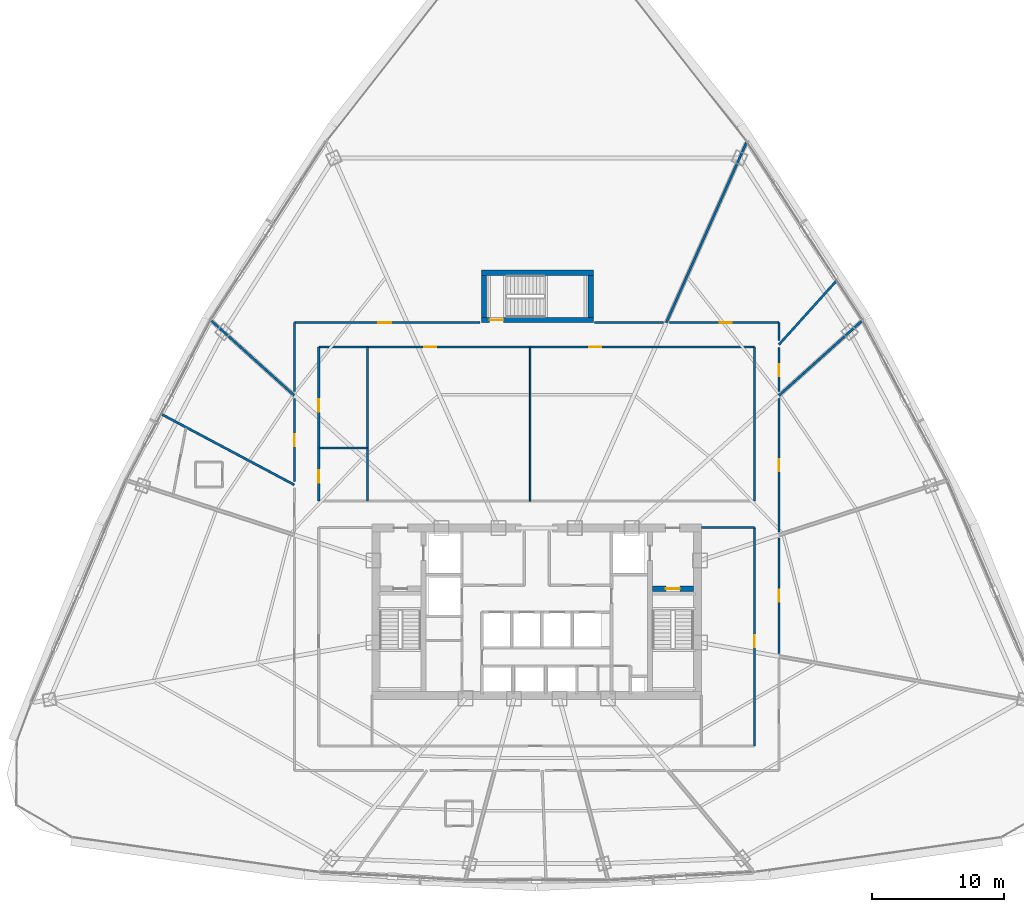
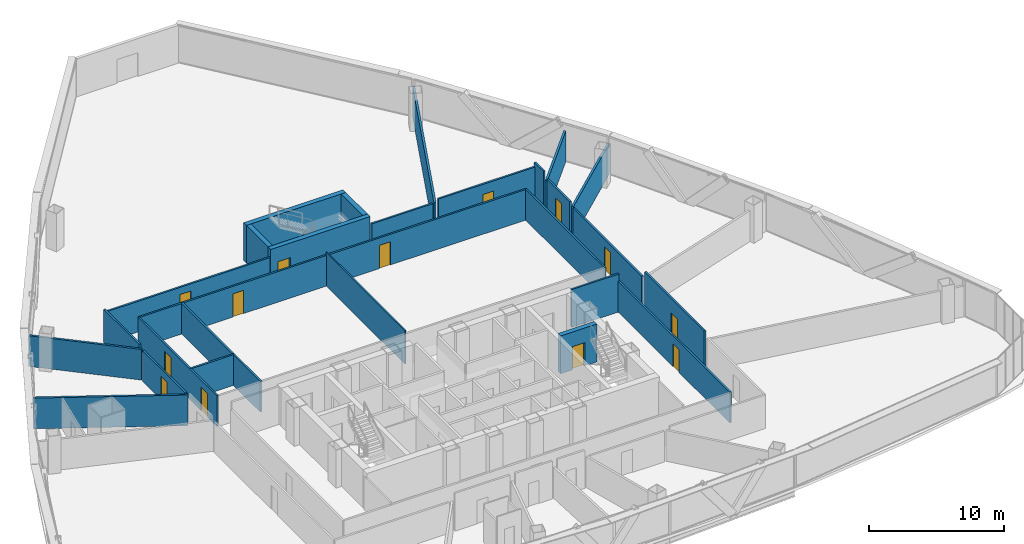
# One storey, part 37 of 42: 27 walls, 13 doors, 13 openings.
"""IFC4 building model written with IfcOpenShell, lengths in metres."""

from ifc_helpers import new_model, si_unit, direction, frame, frame_2d, origin, origin_with_axes, place, context, subcontext, project, spatial, rectangle, extrude, source, transform, mapped, material, layer, layer_set, type_object, element, fill, save


model = new_model("IFC4")

# Units and contexts
model_context = context("Model", 3, precision=1e-05, world=origin(), true_north=direction((0.0, 1.0)))
body_context = subcontext(model_context, "Body", "Model", "MODEL_VIEW")
ifc_project = project(units=[si_unit("LENGTHUNIT", "METRE"), si_unit("AREAUNIT", "SQUARE_METRE"), si_unit("VOLUMEUNIT", "CUBIC_METRE"), si_unit("PLANEANGLEUNIT", "RADIAN"), si_unit("MASSUNIT", "GRAM", prefix="KILO"), si_unit("THERMODYNAMICTEMPERATUREUNIT", "KELVIN"), si_unit("POWERUNIT", "WATT")], contexts=[model_context])

# Site, building, storey
site_placement = place(None, origin())
site = spatial("IfcSite", under=ifc_project, at=site_placement, CompositionType="ELEMENT")
building_placement = place(site_placement, origin())
building = spatial("IfcBuilding", under=site, at=building_placement, Name="Yunzhuo Pagoda Commons", CompositionType="ELEMENT")
storey_placement = place(building_placement, frame((0.0, 0.0, 151.909912109375)))
storey = spatial("IfcBuildingStorey", under=building, at=storey_placement, Name="L38", CompositionType="ELEMENT", Elevation=151.909912109375)

# Wall, openings, doors
ifc_material_1 = material(Name="Gypsum plasterboard on acoustic stud")
ifc_layer_1 = layer(ifc_material_1, 0.155029296875)
ifc_layer_set_1 = layer_set([ifc_layer_1], Name="Gypsum plasterboard on acoustic stud")
wall_type_1 = type_object("IfcWallType", Name="W-COR2 Mid-Zone Rated Corridor Wall 155", PredefinedType="PARTITIONING", material=ifc_layer_set_1)
wall_1_placement = place(storey_placement, frame((31.449951171875, 53.949951171875, 0.0), z_axis=(0.0, 0.0, 1.0), x_axis=(1.0, 0.0, 0.0)))
wall_1 = element("IfcWall", 1, at=wall_1_placement, inside=storey, type_object=wall_type_1, Name="L38 interior wall IW-L38-MCNN", PredefinedType="PARTITIONING", context=body_context, shape_type="SweptSolid", body=[
    extrude(rectangle(XDim=33.10009765625, YDim=0.155029296875, at=frame_2d((16.550048828125, 0.0))), origin(), (0.0, 0.0, 1.0), 2.77001953125),
])
opening_1_placement = place(wall_1_placement, frame((8.0, 0.0, 0.0)))
opening_1 = element("IfcOpeningElement", 2, at=opening_1_placement, cuts=wall_1, Name="Opening D-04", PredefinedType="OPENING", context=body_context, shape_type="SweptSolid", body=[
    extrude(rectangle(XDim=0.919921875, YDim=2.10009765625, at=frame_2d((0.4599609375, 1.050048828125))), frame((0.0, 0.08740234375, 0.0), z_axis=(0.0, -1.0, 0.0), x_axis=(1.0, 0.0, 0.0)), (0.0, 0.0, 1.0), 0.175048828125),
])
opening_2_placement = place(wall_1_placement, frame((20.550048828125, 0.0, 0.0)))
opening_2 = element("IfcOpeningElement", 3, at=opening_2_placement, cuts=wall_1, Name="Opening D-04", PredefinedType="OPENING", context=body_context, shape_type="SweptSolid", body=[
    extrude(rectangle(XDim=0.919921875, YDim=2.10009765625, at=frame_2d((0.4599609375, 1.050048828125))), frame((0.0, 0.08740234375, 0.0), z_axis=(0.0, -1.0, 0.0), x_axis=(1.0, 0.0, 0.0)), (0.0, 0.0, 1.0), 0.175048828125),
])
ifc_material_2 = material(Name="Powder-coated aluminium and timber acoustic leaf", Category="wood")
door_type_1 = type_object("IfcDoorType", Name="D-04 Bedroom & Study Interior Door 920x2100", OperationType="NOTDEFINED", PredefinedType="DOOR", material=ifc_material_2)
shared_shape_1 = source(origin(), body_context, "Body", "SweptSolid", [
    extrude(rectangle(XDim=0.919921875, YDim=2.10009765625, at=frame_2d((0.4599609375, 1.050048828125))), frame((0.0, 0.02490234375, 0.0), z_axis=(0.0, -1.0, 0.0), x_axis=(1.0, 0.0, 0.0)), (0.0, 0.0, 1.0), 0.050048828125),
])
door_1_placement = place(opening_1_placement, origin_with_axes())
door_1 = element("IfcDoor", 4, at=door_1_placement, inside=storey, type_object=door_type_1, Name="L38 reading commons door", OperationType="SINGLE_SWING_LEFT", OverallHeight=2.10009765625, OverallWidth=0.919921875, PredefinedType="DOOR", context=body_context, shape_type="MappedRepresentation", body=[
    mapped(shared_shape_1, transform((0.0, 0.0, 0.0), scale=1.0)),
])
fill(opening_1, door_1)
door_2_placement = place(opening_2_placement, origin_with_axes())
door_2 = element("IfcDoor", 5, at=door_2_placement, inside=storey, type_object=door_type_1, Name="L38 seminar commons door", OperationType="SINGLE_SWING_RIGHT", OverallHeight=2.10009765625, OverallWidth=0.919921875, PredefinedType="DOOR", context=body_context, shape_type="MappedRepresentation", body=[
    mapped(shared_shape_1, transform((0.0, 0.0, 0.0), scale=1.0)),
])
fill(opening_2, door_2)

wall_2_placement = place(storey_placement, frame((31.449951171875, 42.25, 0.0), z_axis=(0.0, 0.0, 1.0), x_axis=(0.0, 1.0, 0.0)))
wall_2 = element("IfcWall", 6, at=wall_2_placement, inside=storey, type_object=wall_type_1, Name="L38 interior wall IW-L38-MCNW", PredefinedType="PARTITIONING", context=body_context, shape_type="SweptSolid", body=[
    extrude(rectangle(XDim=11.699951171875, YDim=0.155029296875, at=frame_2d((5.85009765625, 0.0))), origin(), (0.0, 0.0, 1.0), 2.77001953125),
])
opening_3_placement = place(wall_2_placement, frame((1.39990234375, 0.0, 0.0)))
opening_3 = element("IfcOpeningElement", 7, at=opening_3_placement, cuts=wall_2, Name="Opening D-11", PredefinedType="OPENING", context=body_context, shape_type="SweptSolid", body=[
    extrude(rectangle(XDim=0.93994140625, YDim=2.10009765625, at=frame_2d((0.469970703125, 1.050048828125))), frame((0.0, 0.08740234375, 0.0), z_axis=(0.0, -1.0, 0.0), x_axis=(1.0, 0.0, 0.0)), (0.0, 0.0, 1.0), 0.175048828125),
])
opening_4_placement = place(wall_2_placement, frame((6.800048828125, 0.0, 0.0)))
opening_4 = element("IfcOpeningElement", 8, at=opening_4_placement, cuts=wall_2, Name="Opening D-04", PredefinedType="OPENING", context=body_context, shape_type="SweptSolid", body=[
    extrude(rectangle(XDim=0.919921875, YDim=2.10009765625, at=frame_2d((0.4599609375, 1.050048828125))), frame((0.0, 0.08740234375, 0.0), z_axis=(0.0, -1.0, 0.0), x_axis=(1.0, 0.0, 0.0)), (0.0, 0.0, 1.0), 0.175048828125),
])
ifc_material_3 = material(Name="Galvanized fire-resisting metal leaf")
door_type_2 = type_object("IfcDoorType", Name="D-11 Accessible Washroom Fire Door 940x2100", OperationType="NOTDEFINED", PredefinedType="DOOR", material=ifc_material_3)
shared_shape_2 = source(origin(), body_context, "Body", "SweptSolid", [
    extrude(rectangle(XDim=0.93994140625, YDim=2.10009765625, at=frame_2d((0.469970703125, 1.050048828125))), frame((0.0, 0.02490234375, 0.0), z_axis=(0.0, -1.0, 0.0), x_axis=(1.0, 0.0, 0.0)), (0.0, 0.0, 1.0), 0.050048828125),
])
door_3_placement = place(opening_3_placement, origin_with_axes())
door_3 = element("IfcDoor", 9, at=door_3_placement, inside=storey, type_object=door_type_2, Name="L38 accessible WC door", OperationType="SINGLE_SWING_LEFT", OverallHeight=2.10009765625, OverallWidth=0.93994140625, PredefinedType="DOOR", context=body_context, shape_type="MappedRepresentation", body=[
    mapped(shared_shape_2, transform((0.0, 0.0, 0.0), scale=1.0)),
])
fill(opening_3, door_3)
door_4_placement = place(opening_4_placement, origin_with_axes())
door_4 = element("IfcDoor", 10, at=door_4_placement, inside=storey, type_object=door_type_1, Name="L38 laundry door", OperationType="SINGLE_SWING_RIGHT", OverallHeight=2.10009765625, OverallWidth=0.919921875, PredefinedType="DOOR", context=body_context, shape_type="MappedRepresentation", body=[
    mapped(shared_shape_1, transform((0.0, 0.0, 0.0), scale=1.0)),
])
fill(opening_4, door_4)

# Walls
for number, where, z_axis, x_axis, name in (
    (11, (64.550048828125, 42.25, 0.0), (0.0, 0.0, 1.0), (0.0, 1.0, 0.0), "L38 interior wall IW-L38-MCNE"),
    (12, (35.14990234375, 42.25, 0.0), (0.0, 0.0, 1.0), (0.0, 1.0, 0.0), "L38 interior wall IW-L38-MCWCE"),
):
    element("IfcWall", number, at=place(storey_placement, frame(where, z_axis=z_axis, x_axis=x_axis)), inside=storey, type_object=wall_type_1, Name=name, PredefinedType="PARTITIONING", context=body_context, shape_type="SweptSolid", body=[
        extrude(rectangle(XDim=11.699951171875, YDim=0.155029296875, at=frame_2d((5.85009765625, 0.0))), origin(), (0.0, 0.0, 1.0), 2.77001953125),
    ])
wall_3_placement = place(storey_placement, frame((31.449951171875, 46.300048828125, 0.0), z_axis=(0.0, 0.0, 1.0), x_axis=(1.0, 0.0, 0.0)))
element("IfcWall", 13, at=wall_3_placement, inside=storey, type_object=wall_type_1, Name="L38 interior wall IW-L38-MCWCN", PredefinedType="PARTITIONING", context=body_context, shape_type="SweptSolid", body=[
    extrude(rectangle(XDim=3.699951171875, YDim=0.155029296875, at=frame_2d((1.85009765625, 0.0))), origin(), (0.0, 0.0, 1.0), 2.77001953125),
])

# Wall, opening, door
wall_4_placement = place(storey_placement, frame((64.550048828125, 23.64990234375, 0.0), z_axis=(0.0, 0.0, 1.0), x_axis=(0.0, 1.0, 0.0)))
wall_4 = element("IfcWall", 14, at=wall_4_placement, inside=storey, type_object=wall_type_1, Name="L38 interior wall IW-L38-SFLE", PredefinedType="PARTITIONING", context=body_context, shape_type="SweptSolid", body=[
    extrude(rectangle(XDim=16.60009765625, YDim=0.155029296875, at=frame_2d((8.300048828125, 0.0))), origin(), (0.0, 0.0, 1.0), 2.77001953125),
])
opening_5_placement = place(wall_4_placement, frame((7.5, 0.0, 0.0)))
opening_5 = element("IfcOpeningElement", 15, at=opening_5_placement, cuts=wall_4, Name="Opening D-12", PredefinedType="OPENING", context=body_context, shape_type="SweptSolid", body=[
    extrude(rectangle(XDim=0.89990234375, YDim=2.080078125, at=frame_2d((0.449951171875, 1.0400390625))), frame((0.0, 0.08740234375, 0.0), z_axis=(0.0, -1.0, 0.0), x_axis=(1.0, 0.0, 0.0)), (0.0, 0.0, 1.0), 0.175048828125),
])
door_type_3 = type_object("IfcDoorType", Name="D-12 Quiet Study Interior Door 900x2080", OperationType="NOTDEFINED", PredefinedType="DOOR", material=ifc_material_2)
shared_shape_3 = source(origin(), body_context, "Body", "SweptSolid", [
    extrude(rectangle(XDim=0.89990234375, YDim=2.080078125, at=frame_2d((0.449951171875, 1.0400390625))), frame((0.0, 0.02490234375, 0.0), z_axis=(0.0, -1.0, 0.0), x_axis=(1.0, 0.0, 0.0)), (0.0, 0.0, 1.0), 0.050048828125),
])
door_5_placement = place(opening_5_placement, frame((0.89990234375, 0.0, 0.0), z_axis=(0.0, 0.0, 1.0), x_axis=(-1.0, 0.0, 0.0)))
door_5 = element("IfcDoor", 16, at=door_5_placement, inside=storey, type_object=door_type_3, Name="L38 east study workroom door", OperationType="SINGLE_SWING_RIGHT", OverallHeight=2.080078125, OverallWidth=0.89990234375, PredefinedType="DOOR", context=body_context, shape_type="MappedRepresentation", body=[
    mapped(shared_shape_3, transform((0.0, 0.0, 0.0), scale=1.0)),
])
fill(opening_5, door_5)

# Wall
wall_5_placement = place(storey_placement, frame((60.5, 40.25, 0.0), z_axis=(0.0, 0.0, 1.0), x_axis=(1.0, 0.0, 0.0)))
element("IfcWall", 17, at=wall_5_placement, inside=storey, type_object=wall_type_1, Name="L38 interior wall IW-L38-SFLNE", PredefinedType="PARTITIONING", context=body_context, shape_type="SweptSolid", body=[
    extrude(rectangle(XDim=4.050048828125, YDim=0.155029296875, at=frame_2d((2.02490234375, 0.0))), origin(), (0.0, 0.0, 1.0), 3.420166015625),
])

# Wall, opening, door
wall_6_placement = place(storey_placement, frame((29.60009765625, 43.732666015625, 0.0), z_axis=(0.0, 0.0, 1.0), x_axis=(0.0, 1.0, 0.0)))
wall_6 = element("IfcWall", 18, at=wall_6_placement, inside=storey, type_object=wall_type_1, Name="L38 interior wall IW-L38-CWL03", PredefinedType="PARTITIONING", context=body_context, shape_type="SweptSolid", body=[
    extrude(rectangle(XDim=6.31494140625, YDim=0.155029296875, at=frame_2d((3.157470703125, 0.0))), origin(), (0.0, 0.0, 1.0), 2.77001953125),
])
opening_6_placement = place(wall_6_placement, frame((2.6826171875, 0.0, 0.0)))
opening_6 = element("IfcOpeningElement", 19, at=opening_6_placement, cuts=wall_6, Name="Opening D-04", PredefinedType="OPENING", context=body_context, shape_type="SweptSolid", body=[
    extrude(rectangle(XDim=0.919921875, YDim=2.10009765625, at=frame_2d((0.4599609375, 1.050048828125))), frame((0.0, 0.08740234375, 0.0), z_axis=(0.0, -1.0, 0.0), x_axis=(1.0, 0.0, 0.0)), (0.0, 0.0, 1.0), 0.175048828125),
])
door_6_placement = place(opening_6_placement, origin_with_axes())
door_6 = element("IfcDoor", 20, at=door_6_placement, inside=storey, type_object=door_type_1, Name="L38 seminar room 06 door", OperationType="SINGLE_SWING_RIGHT", OverallHeight=2.10009765625, OverallWidth=0.919921875, PredefinedType="DOOR", context=body_context, shape_type="MappedRepresentation", body=[
    mapped(shared_shape_1, transform((0.0, 0.0, 0.0), scale=1.0)),
])
fill(opening_6, door_6)

# Wall
wall_7_placement = place(storey_placement, frame((29.60009765625, 50.5634765625, 0.0), z_axis=(0.0, 0.0, 1.0), x_axis=(0.0, 1.0, 0.0)))
element("IfcWall", 21, at=wall_7_placement, inside=storey, type_object=wall_type_1, Name="L38 interior wall IW-L38-CWL04", PredefinedType="PARTITIONING", context=body_context, shape_type="SweptSolid", body=[
    extrude(rectangle(XDim=5.236572265625, YDim=0.155029296875, at=frame_2d((2.6181640625, 0.0))), origin(), (0.0, 0.0, 1.0), 3.02001953125),
])

# Wall, opening, door
wall_8_placement = place(storey_placement, frame((29.60009765625, 55.800048828125, 0.0), z_axis=(0.0, 0.0, 1.0), x_axis=(1.0, 0.0, 0.0)))
wall_8 = element("IfcWall", 22, at=wall_8_placement, inside=storey, type_object=wall_type_1, Name="L38 interior wall IW-L38-CWL05", PredefinedType="PARTITIONING", context=body_context, shape_type="SweptSolid", body=[
    extrude(rectangle(XDim=14.10888671875, YDim=0.155029296875, at=frame_2d((7.054443359375, 0.0))), origin(), (0.0, 0.0, 1.0), 2.77001953125),
])
opening_7_placement = place(wall_8_placement, frame((6.385009765625, 0.0, 0.0)))
opening_7 = element("IfcOpeningElement", 23, at=opening_7_placement, cuts=wall_8, Name="Opening D-07", PredefinedType="OPENING", context=body_context, shape_type="SweptSolid", body=[
    extrude(rectangle(XDim=0.9599609375, YDim=2.1201171875, at=frame_2d((0.47998046875, 1.06005859375))), frame((0.0, 0.08740234375, 0.0), z_axis=(0.0, -1.0, 0.0), x_axis=(1.0, 0.0, 0.0)), (0.0, 0.0, 1.0), 0.175048828125),
])
door_type_4 = type_object("IfcDoorType", Name="D-07 Mid-Zone Suite Entrance Fire Door 960x2120", OperationType="NOTDEFINED", PredefinedType="DOOR", material=ifc_material_3)
shared_shape_4 = source(origin(), body_context, "Body", "SweptSolid", [
    extrude(rectangle(XDim=0.9599609375, YDim=2.1201171875, at=frame_2d((0.47998046875, 1.06005859375))), frame((0.0, 0.02490234375, 0.0), z_axis=(0.0, -1.0, 0.0), x_axis=(1.0, 0.0, 0.0)), (0.0, 0.0, 1.0), 0.050048828125),
])
door_7_placement = place(opening_7_placement, origin_with_axes())
door_7 = element("IfcDoor", 24, at=door_7_placement, inside=storey, type_object=door_type_4, Name="L38 Shared Resident Kitchen and Pantry door", OperationType="SINGLE_SWING_LEFT", OverallHeight=2.1201171875, OverallWidth=0.9599609375, PredefinedType="DOOR", context=body_context, shape_type="MappedRepresentation", body=[
    mapped(shared_shape_4, transform((0.0, 0.0, 0.0), scale=1.0)),
])
fill(opening_7, door_7)

# Wall
wall_9_placement = place(storey_placement, frame((52.39111328125, 55.800048828125, 0.0), z_axis=(0.0, 0.0, 1.0), x_axis=(1.0, 0.0, 0.0)))
element("IfcWall", 25, at=wall_9_placement, inside=storey, type_object=wall_type_1, Name="L38 interior wall IW-L38-CWL06", PredefinedType="PARTITIONING", context=body_context, shape_type="SweptSolid", body=[
    extrude(rectangle(XDim=5.228759765625, YDim=0.155029296875, at=frame_2d((2.6142578125, 0.0))), origin(), (0.0, 0.0, 1.0), 2.77001953125),
])

# Wall, opening, door
wall_10_placement = place(storey_placement, frame((58.080322265625, 55.800048828125, 0.0), z_axis=(0.0, 0.0, 1.0), x_axis=(1.0, 0.0, 0.0)))
wall_10 = element("IfcWall", 26, at=wall_10_placement, inside=storey, type_object=wall_type_1, Name="L38 interior wall IW-L38-CWL07", PredefinedType="PARTITIONING", context=body_context, shape_type="SweptSolid", body=[
    extrude(rectangle(XDim=8.319580078125, YDim=0.155029296875, at=frame_2d((4.15966796875, 0.0))), origin(), (0.0, 0.0, 1.0), 3.02001953125),
])
opening_8_placement = place(wall_10_placement, frame((3.809326171875, 0.0, 0.0)))
opening_8 = element("IfcOpeningElement", 27, at=opening_8_placement, cuts=wall_10, Name="Opening D-04", PredefinedType="OPENING", context=body_context, shape_type="SweptSolid", body=[
    extrude(rectangle(XDim=0.919921875, YDim=2.10009765625, at=frame_2d((0.4599609375, 1.050048828125))), frame((0.0, 0.08740234375, 0.0), z_axis=(0.0, -1.0, 0.0), x_axis=(1.0, 0.0, 0.0)), (0.0, 0.0, 1.0), 0.175048828125),
])
door_8_placement = place(opening_8_placement, origin_with_axes())
door_8 = element("IfcDoor", 28, at=door_8_placement, inside=storey, type_object=door_type_1, Name="L38 seminar room 04 door", OperationType="SINGLE_SWING_RIGHT", OverallHeight=2.10009765625, OverallWidth=0.919921875, PredefinedType="DOOR", context=body_context, shape_type="MappedRepresentation", body=[
    mapped(shared_shape_1, transform((0.0, 0.0, 0.0), scale=1.0)),
])
fill(opening_8, door_8)

# Wall
wall_11_placement = place(storey_placement, frame((66.39990234375, 55.800048828125, 0.0), z_axis=(0.0, 0.0, 1.0), x_axis=(0.0, -1.0, 0.0)))
element("IfcWall", 29, at=wall_11_placement, inside=storey, type_object=wall_type_1, Name="L38 interior wall IW-L38-CWL08", PredefinedType="PARTITIONING", context=body_context, shape_type="SweptSolid", body=[
    extrude(rectangle(XDim=1.3359375, YDim=0.155029296875, at=frame_2d((0.66796875, 0.0))), origin(), (0.0, 0.0, 1.0), 3.420166015625),
])

# Wall, opening, door
wall_12_placement = place(storey_placement, frame((66.39990234375, 53.91552734375, 0.0), z_axis=(0.0, 0.0, 1.0), x_axis=(0.0, -1.0, 0.0)))
wall_12 = element("IfcWall", 30, at=wall_12_placement, inside=storey, type_object=wall_type_1, Name="L38 interior wall IW-L38-CWL09", PredefinedType="PARTITIONING", context=body_context, shape_type="SweptSolid", body=[
    extrude(rectangle(XDim=3.35205078125, YDim=0.155029296875, at=frame_2d((1.676025390625, 0.0))), origin(), (0.0, 0.0, 1.0), 3.02001953125),
])
opening_9_placement = place(wall_12_placement, frame((1.254150390625, 0.0, 0.0)))
opening_9 = element("IfcOpeningElement", 31, at=opening_9_placement, cuts=wall_12, Name="Opening D-04", PredefinedType="OPENING", context=body_context, shape_type="SweptSolid", body=[
    extrude(rectangle(XDim=0.919921875, YDim=2.10009765625, at=frame_2d((0.4599609375, 1.050048828125))), frame((0.0, 0.08740234375, 0.0), z_axis=(0.0, -1.0, 0.0), x_axis=(1.0, 0.0, 0.0)), (0.0, 0.0, 1.0), 0.175048828125),
])
door_9_placement = place(opening_9_placement, origin_with_axes())
door_9 = element("IfcDoor", 32, at=door_9_placement, inside=storey, type_object=door_type_1, Name="L38 seminar room 03 door", OperationType="SINGLE_SWING_LEFT", OverallHeight=2.10009765625, OverallWidth=0.919921875, PredefinedType="DOOR", context=body_context, shape_type="MappedRepresentation", body=[
    mapped(shared_shape_1, transform((0.0, 0.0, 0.0), scale=1.0)),
])
fill(opening_9, door_9)

wall_13_placement = place(storey_placement, frame((66.39990234375, 50.047607421875, 0.0), z_axis=(0.0, 0.0, 1.0), x_axis=(0.0, -1.0, 0.0)))
wall_13 = element("IfcWall", 33, at=wall_13_placement, inside=storey, type_object=wall_type_1, Name="L38 interior wall IW-L38-CWL10", PredefinedType="PARTITIONING", context=body_context, shape_type="SweptSolid", body=[
    extrude(rectangle(XDim=10.1376953125, YDim=0.155029296875, at=frame_2d((5.06884765625, 0.0))), origin(), (0.0, 0.0, 1.0), 2.77001953125),
])
opening_10_placement = place(wall_13_placement, frame((4.61474609375, 0.0, 0.0)))
opening_10 = element("IfcOpeningElement", 34, at=opening_10_placement, cuts=wall_13, Name="Opening D-04", PredefinedType="OPENING", context=body_context, shape_type="SweptSolid", body=[
    extrude(rectangle(XDim=0.919921875, YDim=2.10009765625, at=frame_2d((0.4599609375, 1.050048828125))), frame((0.0, 0.08740234375, 0.0), z_axis=(0.0, -1.0, 0.0), x_axis=(1.0, 0.0, 0.0)), (0.0, 0.0, 1.0), 0.175048828125),
])
door_10_placement = place(opening_10_placement, origin_with_axes())
door_10 = element("IfcDoor", 35, at=door_10_placement, inside=storey, type_object=door_type_1, Name="L38 seminar room 02 door", OperationType="SINGLE_SWING_RIGHT", OverallHeight=2.10009765625, OverallWidth=0.919921875, PredefinedType="DOOR", context=body_context, shape_type="MappedRepresentation", body=[
    mapped(shared_shape_1, transform((0.0, 0.0, 0.0), scale=1.0)),
])
fill(opening_10, door_10)

wall_14_placement = place(storey_placement, frame((66.39990234375, 39.458740234375, 0.0), z_axis=(0.0, 0.0, 1.0), x_axis=(0.0, -1.0, 0.0)))
wall_14 = element("IfcWall", 36, at=wall_14_placement, inside=storey, type_object=wall_type_1, Name="L38 interior wall IW-L38-CWL11", PredefinedType="PARTITIONING", context=body_context, shape_type="SweptSolid", body=[
    extrude(rectangle(XDim=8.783447265625, YDim=0.155029296875, at=frame_2d((4.3916015625, 0.0))), origin(), (0.0, 0.0, 1.0), 3.420166015625),
])
opening_11_placement = place(wall_14_placement, frame((3.931640625, 0.0, 0.0)))
opening_11 = element("IfcOpeningElement", 37, at=opening_11_placement, cuts=wall_14, Name="Opening D-04", PredefinedType="OPENING", context=body_context, shape_type="SweptSolid", body=[
    extrude(rectangle(XDim=0.919921875, YDim=2.10009765625, at=frame_2d((0.4599609375, 1.050048828125))), frame((0.0, 0.08740234375, 0.0), z_axis=(0.0, -1.0, 0.0), x_axis=(1.0, 0.0, 0.0)), (0.0, 0.0, 1.0), 0.175048828125),
])
door_11_placement = place(opening_11_placement, origin_with_axes())
door_11 = element("IfcDoor", 38, at=door_11_placement, inside=storey, type_object=door_type_1, Name="L38 seminar room 01 door", OperationType="SINGLE_SWING_LEFT", OverallHeight=2.10009765625, OverallWidth=0.919921875, PredefinedType="DOOR", context=body_context, shape_type="MappedRepresentation", body=[
    mapped(shared_shape_1, transform((0.0, 0.0, 0.0), scale=1.0)),
])
fill(opening_11, door_11)

# Walls
ifc_layer_2 = layer(ifc_material_1, 0.1201171875)
ifc_layer_set_2 = layer_set([ifc_layer_2], Name="Gypsum plasterboard on acoustic stud")
wall_type_2 = type_object("IfcWallType", Name="W-PRT1 Suite & Bathroom Partition 120", PredefinedType="PARTITIONING", material=ifc_layer_set_2)
wall_15_placement = place(storey_placement, frame((47.5, 42.25, 0.0), z_axis=(0.0, 0.0, 1.0), x_axis=(0.0, 1.0, 0.0)))
element("IfcWall", 39, at=wall_15_placement, inside=storey, type_object=wall_type_2, Name="L38 interior wall IW-L38-MCDIV", PredefinedType="PARTITIONING", context=body_context, shape_type="SweptSolid", body=[
    extrude(rectangle(XDim=11.699951171875, YDim=0.1201171875, at=frame_2d((5.85009765625, 0.0))), origin(), (0.0, 0.0, 1.0), 3.02001953125),
])
ifc_layer_3 = layer(ifc_material_1, 0.175048828125)
ifc_layer_set_3 = layer_set([ifc_layer_3], Name="Gypsum plasterboard on acoustic stud")
wall_type_3 = type_object("IfcWallType", Name="W-PRT3 Mid-Zone Demising Wall 175", PredefinedType="PARTITIONING", material=ifc_layer_set_3)
wall_16_placement = place(storey_placement, frame((66.39990234375, 50.267333984375, 0.0), z_axis=(0.0, 0.0, 1.0), x_axis=(0.743147926867, 0.669127161901, 0.0)))
element("IfcWall", 40, at=wall_16_placement, inside=storey, type_object=wall_type_3, Name="L38 interior wall IW-L38-RAD02", PredefinedType="PARTITIONING", context=body_context, shape_type="SweptSolid", body=[
    extrude(rectangle(XDim=8.552490234375, YDim=0.175048828125, at=frame_2d((4.2763671875, 0.0))), origin(), (0.0, 0.0, 1.0), 2.77001953125),
])
wall_17_placement = place(storey_placement, frame((66.39990234375, 54.13525390625, 0.0), z_axis=(0.0, 0.0, 1.0), x_axis=(0.669139250318, 0.74313704233, 0.0)))
element("IfcWall", 41, at=wall_17_placement, inside=storey, type_object=wall_type_3, Name="L38 interior wall IW-L38-RAD03", PredefinedType="PARTITIONING", context=body_context, shape_type="SweptSolid", body=[
    extrude(rectangle(XDim=6.56884765625, YDim=0.175048828125, at=frame_2d((3.284423828125, 0.0))), origin(), (0.0, 0.0, 1.0), 2.77001953125),
])
wall_18_placement = place(storey_placement, frame((57.839599609375, 55.800048828125, 0.0), z_axis=(0.0, 0.0, 1.0), x_axis=(0.406736829456, 0.913545374661, 0.0)))
element("IfcWall", 42, at=wall_18_placement, inside=storey, type_object=wall_type_3, Name="L38 interior wall IW-L38-RAD04", PredefinedType="PARTITIONING", context=body_context, shape_type="SweptSolid", body=[
    extrude(rectangle(XDim=15.06494140625, YDim=0.175048828125, at=frame_2d((7.532470703125, 0.0))), origin(), (0.0, 0.0, 1.0), 2.77001953125),
])
wall_19_placement = place(storey_placement, frame((29.60009765625, 50.267333984375, 0.0), z_axis=(0.0, 0.0, 1.0), x_axis=(-0.743147926867, 0.669127161901, 0.0)))
element("IfcWall", 43, at=wall_19_placement, inside=storey, type_object=wall_type_3, Name="L38 interior wall IW-L38-RAD05", PredefinedType="PARTITIONING", context=body_context, shape_type="SweptSolid", body=[
    extrude(rectangle(XDim=8.552490234375, YDim=0.175048828125, at=frame_2d((4.2763671875, 0.0))), origin(), (0.0, 0.0, 1.0), 2.77001953125),
])
wall_20_placement = place(storey_placement, frame((29.60009765625, 43.4833984375, 0.0), z_axis=(0.0, 0.0, 1.0), x_axis=(-0.882944706502, 0.469476991193, 0.0)))
element("IfcWall", 44, at=wall_20_placement, inside=storey, type_object=wall_type_3, Name="L38 interior wall IW-L38-RAD06", PredefinedType="PARTITIONING", context=body_context, shape_type="SweptSolid", body=[
    extrude(rectangle(XDim=11.464111328125, YDim=0.175048828125, at=frame_2d((5.73193359375, 0.0))), origin(), (0.0, 0.0, 1.0), 2.77001953125),
])

# Wall, opening, door
ifc_material_4 = material(Name="Concrete C60", Category="concrete")
ifc_layer_4 = layer(ifc_material_4, 0.39990234375)
ifc_layer_set_4 = layer_set([ifc_layer_4], Name="Concrete C60")
wall_type_4 = type_object("IfcWallType", Name="W-S01 Internal Core Shear Web 400", PredefinedType="SHEAR", material=ifc_layer_set_4)
wall_21_placement = place(storey_placement, frame((56.800048828125, 35.60009765625, 0.0), z_axis=(0.0, 0.0, 1.0), x_axis=(1.0, 0.0, 0.0)))
wall_21 = element("IfcWall", 45, at=wall_21_placement, inside=storey, type_object=wall_type_4, Name="L38 core shear wall STE", PredefinedType="SHEAR", context=body_context, shape_type="SweptSolid", body=[
    extrude(rectangle(XDim=3.099853515625, YDim=0.39990234375, at=frame_2d((1.5498046875, 0.0))), origin(), (0.0, 0.0, 1.0), 3.420166015625),
])
opening_12_placement = place(wall_21_placement, frame((1.02001953125, 0.0, 0.0)))
opening_12 = element("IfcOpeningElement", 46, at=opening_12_placement, cuts=wall_21, Name="Opening D-01", PredefinedType="OPENING", context=body_context, shape_type="SweptSolid", body=[
    extrude(rectangle(XDim=1.050048828125, YDim=2.10009765625, at=frame_2d((0.52490234375, 1.050048828125))), frame((0.0, 0.2099609375, 0.0), z_axis=(0.0, -1.0, 0.0), x_axis=(1.0, 0.0, 0.0)), (0.0, 0.0, 1.0), 0.419921875),
])
door_type_5 = type_object("IfcDoorType", Name="D-01 Smokeproof Stair Fire Door 1050x2100", OperationType="NOTDEFINED", PredefinedType="DOOR", material=ifc_material_3)
shared_shape_5 = source(origin(), body_context, "Body", "SweptSolid", [
    extrude(rectangle(XDim=1.050048828125, YDim=2.10009765625, at=frame_2d((0.52490234375, 1.050048828125))), frame((0.0, 0.02490234375, 0.0), z_axis=(0.0, -1.0, 0.0), x_axis=(1.0, 0.0, 0.0)), (0.0, 0.0, 1.0), 0.050048828125),
])
door_12_placement = place(opening_12_placement, frame((1.050048828125, 0.0, 0.0), z_axis=(0.0, 0.0, 1.0), x_axis=(-1.0, 0.0, 0.0)))
door_12 = element("IfcDoor", 47, at=door_12_placement, inside=storey, type_object=door_type_5, Name="L38 Stair ST2 fire door", OperationType="SINGLE_SWING_RIGHT", OverallHeight=2.10009765625, OverallWidth=1.050048828125, PredefinedType="DOOR", context=body_context, shape_type="MappedRepresentation", body=[
    mapped(shared_shape_5, transform((0.0, 0.0, 0.0), scale=1.0)),
])
fill(opening_12, door_12)

# Wall
wall_22_placement = place(storey_placement, frame((43.800048828125, 59.60009765625, 0.0), z_axis=(0.0, 0.0, 1.0), x_axis=(1.0, 0.0, 0.0)))
element("IfcWall", 48, at=wall_22_placement, inside=storey, type_object=wall_type_4, Name="L38 ST3 structural stair wall N", PredefinedType="SHEAR", context=body_context, shape_type="SweptSolid", body=[
    extrude(rectangle(XDim=8.5, YDim=0.39990234375, at=frame_2d((4.25, 0.0))), origin(), (0.0, 0.0, 1.0), 3.420166015625),
])

# Wall, opening, door
wall_23_placement = place(storey_placement, frame((43.800048828125, 56.0, 0.0), z_axis=(0.0, 0.0, 1.0), x_axis=(1.0, 0.0, 0.0)))
wall_23 = element("IfcWall", 49, at=wall_23_placement, inside=storey, type_object=wall_type_4, Name="L38 ST3 structural stair wall S", PredefinedType="SHEAR", context=body_context, shape_type="SweptSolid", body=[
    extrude(rectangle(XDim=8.5, YDim=0.39990234375, at=frame_2d((4.25, 0.0))), origin(), (0.0, 0.0, 1.0), 3.420166015625),
])
opening_13_placement = place(wall_23_placement, frame((0.6201171875, 0.0, 0.0)))
opening_13 = element("IfcOpeningElement", 50, at=opening_13_placement, cuts=wall_23, Name="Opening D-01", PredefinedType="OPENING", context=body_context, shape_type="SweptSolid", body=[
    extrude(rectangle(XDim=1.050048828125, YDim=2.10009765625, at=frame_2d((0.52490234375, 1.050048828125))), frame((0.0, 0.2099609375, 0.0), z_axis=(0.0, -1.0, 0.0), x_axis=(1.0, 0.0, 0.0)), (0.0, 0.0, 1.0), 0.419921875),
])
door_13_placement = place(opening_13_placement, frame((1.050048828125, 0.0, 0.0), z_axis=(0.0, 0.0, 1.0), x_axis=(-1.0, 0.0, 0.0)))
door_13 = element("IfcDoor", 51, at=door_13_placement, inside=storey, type_object=door_type_5, Name="L38 Stair ST3 fire door", OperationType="SINGLE_SWING_LEFT", OverallHeight=2.10009765625, OverallWidth=1.050048828125, PredefinedType="DOOR", context=body_context, shape_type="MappedRepresentation", body=[
    mapped(shared_shape_5, transform((0.0, 0.0, 0.0), scale=1.0)),
])
fill(opening_13, door_13)

# Walls
for number, where, z_axis, x_axis, name in (
    (52, (44.0, 56.199951171875, 0.0), (0.0, 0.0, 1.0), (0.0, 1.0, 0.0), "L38 ST3 structural stair wall W"),
    (53, (52.10009765625, 56.199951171875, 0.0), (0.0, 0.0, 1.0), (0.0, 1.0, 0.0), "L38 ST3 structural stair wall E"),
):
    element("IfcWall", number, at=place(storey_placement, frame(where, z_axis=z_axis, x_axis=x_axis)), inside=storey, type_object=wall_type_4, Name=name, PredefinedType="SHEAR", context=body_context, shape_type="SweptSolid", body=[
        extrude(rectangle(XDim=3.199951171875, YDim=0.39990234375, at=frame_2d((1.60009765625, 0.0))), origin(), (0.0, 0.0, 1.0), 3.420166015625),
    ])

save(model, "model.ifc")
